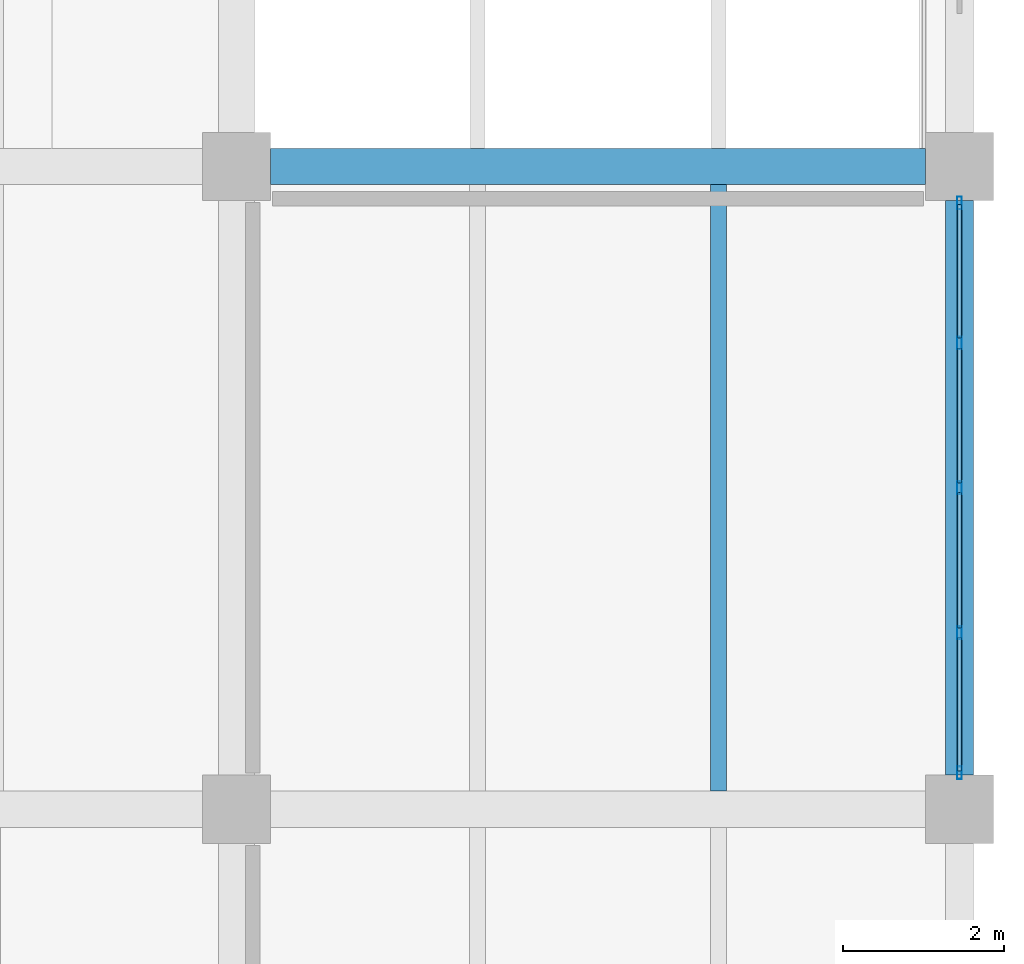
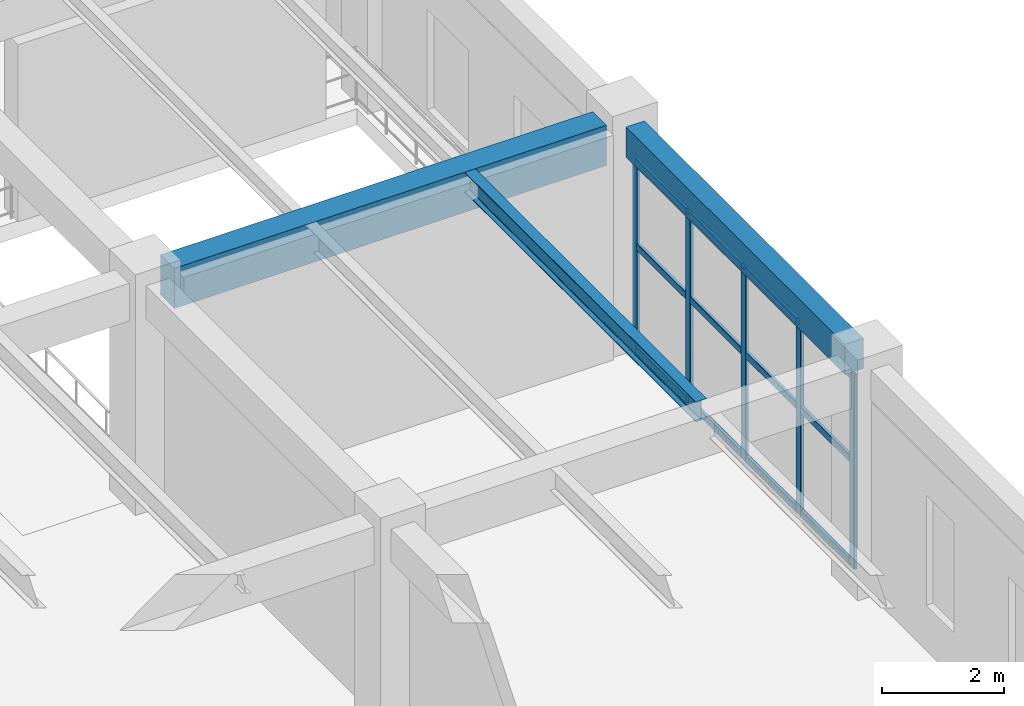
# One storey, part 124 of 178: 17 members, 3 beams, 1 element without a shape of its own.
"""IFC4 building model written with IfcOpenShell, lengths in metres."""

import ifcopenshell
import ifcopenshell.guid

model = None  # the IFC model being written
_history = None  # IfcOwnerHistory: only IFC2X3 demands one
_inside = {}  # id of a spatial element -> (the spatial element, [elements in it])
_under = {}  # id of a project, library or spatial element -> (it, [spatial elements below it])
_declared = {}  # id of a project -> (the project, [libraries it declares])
_typed = {}  # id of a type object -> (the type object, [elements of that type])
_made_of = {}  # id of a material, layer set ... -> (it, [elements and type objects made of it])


def new_model(schema):
    """Start an empty IFC model of exactly this schema.

    Asked for "IFC4X3", IfcOpenShell would pick the latest addendum, in which some entities
    have other attributes; the version numbers below select the first issue.
    IFC2X3 requires an IfcOwnerHistory on every rooted entity: one is made here for all.
    """
    global model, _history
    if schema == "IFC4X3":
        model = ifcopenshell.file(schema_version=(4, 3, 0, 0))
    else:
        model = ifcopenshell.file(schema=schema)
    _inside.clear()
    _under.clear()
    _declared.clear()
    _typed.clear()
    _made_of.clear()
    _history = None
    if model.schema == "IFC2X3":
        org = make("IfcOrganization", Name="unknown")
        user = make(
            "IfcPersonAndOrganization",
            ThePerson=make("IfcPerson", FamilyName="unknown"),
            TheOrganization=org,
        )
        app = make(
            "IfcApplication",
            ApplicationDeveloper=org,
            Version="unknown",
            ApplicationFullName="unknown",
            ApplicationIdentifier="unknown",
        )
        _history = make(
            "IfcOwnerHistory",
            OwningUser=user,
            OwningApplication=app,
            ChangeAction="ADDED",
            CreationDate=0,
        )
    return model


def make(cls, **values):
    """One entity of the class cls with the attributes given. An attribute that is None is left unset."""
    return model.create_entity(
        cls, **{name: value for name, value in values.items() if value is not None}
    )


def rooted(cls, **values):
    """An entity with a GlobalId (a new one), such as an element, a storey or a relation."""
    return make(cls, GlobalId=ifcopenshell.guid.new(), OwnerHistory=_history, **values)


def si_unit(unit_type, name, prefix=None):
    """IfcSIUnit, for example si_unit("LENGTHUNIT", "METRE", prefix="MILLI")."""
    return make("IfcSIUnit", UnitType=unit_type, Prefix=prefix, Name=name)


def derived_unit(unit_type, elements):
    """IfcDerivedUnit: a product of units, each with its exponent."""
    return make(
        "IfcDerivedUnit",
        Elements=[
            make("IfcDerivedUnitElement", Unit=unit, Exponent=power)
            for unit, power in elements
        ],
        UnitType=unit_type,
    )


def assignment(units):
    """IfcUnitAssignment: the units of a project."""
    return None if units is None else make("IfcUnitAssignment", Units=units)


def point(xyz):
    """IfcCartesianPoint."""
    return None if xyz is None else make("IfcCartesianPoint", Coordinates=xyz)


def direction(xyz):
    """IfcDirection."""
    return None if xyz is None else make("IfcDirection", DirectionRatios=xyz)


def frame(location, z_axis=None, x_axis=None):
    """IfcAxis2Placement3D, a coordinate frame: its origin and axes. An axis left out is left unset."""
    return make(
        "IfcAxis2Placement3D",
        Location=point(location),
        Axis=direction(z_axis),
        RefDirection=direction(x_axis),
    )


def frame_2d(location, x_axis=None):
    """IfcAxis2Placement2D, a coordinate frame in the plane: its origin and x axis."""
    return make(
        "IfcAxis2Placement2D", Location=point(location), RefDirection=direction(x_axis)
    )


def origin():
    """The frame at (0, 0, 0) with its axes left unset."""
    return frame((0.0, 0.0, 0.0))


def origin_2d():
    """The frame at (0, 0) in the plane with its x axis left unset."""
    return frame_2d((0.0, 0.0))


def place(relative_to, where):
    """IfcLocalPlacement: puts the frame where relative to a parent placement (None: the world)."""
    return make(
        "IfcLocalPlacement", PlacementRelTo=relative_to, RelativePlacement=where
    )


def context(
    kind, dimensions, precision=None, world=None, true_north=None, identifier=None
):
    """IfcGeometricRepresentationContext, for example the 3D "Model" context."""
    return make(
        "IfcGeometricRepresentationContext",
        ContextIdentifier=identifier,
        ContextType=kind,
        CoordinateSpaceDimension=dimensions,
        Precision=precision,
        WorldCoordinateSystem=world,
        TrueNorth=true_north,
    )


def subcontext(parent, identifier, kind, view, scale=None):
    """IfcGeometricRepresentationSubContext, for example "Body" below "Model"."""
    return make(
        "IfcGeometricRepresentationSubContext",
        ContextIdentifier=identifier,
        ContextType=kind,
        ParentContext=parent,
        TargetScale=scale,
        TargetView=view,
    )


def project(units=None, contexts=None):
    """IfcProject with its units and contexts."""
    return rooted(
        "IfcProject",
        Name="project",
        RepresentationContexts=contexts,
        UnitsInContext=assignment(units),
    )


def spatial(cls, under=None, at=None, **own):
    """A site, building, storey or space (cls), placed at a placement, below another one or the project."""
    s = rooted(cls, ObjectPlacement=at, **own)
    if under is not None:
        _under.setdefault(under.id(), (under, []))[1].append(s)
    return s


def profile(cls, at=None, kind="AREA", **sizes):
    """A parametric profile (cls). Its sizes go by their IFC names, for example OverallWidth=200.0."""
    return make(cls, ProfileType=kind, Position=at, **sizes)


def rectangle(**sizes):
    """IfcRectangleProfileDef."""
    return profile("IfcRectangleProfileDef", **sizes)


def hollow_rectangle(**sizes):
    """IfcRectangleHollowProfileDef."""
    return profile("IfcRectangleHollowProfileDef", **sizes)


def i_section(**sizes):
    """IfcIShapeProfileDef."""
    return profile("IfcIShapeProfileDef", **sizes)


def extrude(swept, where, along, depth):
    """IfcExtrudedAreaSolid: the profile swept, set in the frame where, extruded along a direction by depth."""
    return make(
        "IfcExtrudedAreaSolid",
        SweptArea=swept,
        Position=where,
        ExtrudedDirection=direction(along),
        Depth=depth,
    )


def shape(context_of_items, identifier, shape_type, items):
    """IfcShapeRepresentation: the items that make up one representation, for example the "Body"."""
    return make(
        "IfcShapeRepresentation",
        ContextOfItems=context_of_items,
        RepresentationIdentifier=identifier,
        RepresentationType=shape_type,
        Items=items,
    )


def material(Name=None, Category=None):
    """IfcMaterial."""
    return make("IfcMaterial", Name=Name, Category=Category)


def material_profile(
    of_material, cross_section, Name=None, Category=None, Priority=None
):
    """IfcMaterialProfile: a cross section and its material."""
    return make(
        "IfcMaterialProfile",
        Name=Name,
        Material=of_material,
        Profile=cross_section,
        Priority=Priority,
        Category=Category,
    )


def profile_set(profiles, Name=None, composite=None):
    """IfcMaterialProfileSet."""
    return make(
        "IfcMaterialProfileSet",
        Name=Name,
        MaterialProfiles=profiles,
        CompositeProfile=composite,
    )


def made_of(thing, what):
    """Note that an element or type object is made of a material, layer set ...; save() writes the relation."""
    if what is not None:
        _made_of.setdefault(what.id(), (what, []))[1].append(thing)
    return thing


def type_object(cls, material=None, **own):
    """A type object (cls), such as IfcWallType, which elements share."""
    return made_of(rooted(cls, **own), material)


def element(
    cls,
    number,
    at=None,
    inside=None,
    cuts=None,
    type_object=None,
    material=None,
    context=None,
    identifier="Body",
    shape_type=None,
    held_by="IfcProductDefinitionShape",
    body=None,
    shapes=None,
    **own,
):
    """One element of the class cls, such as IfcWall. Its Tag is "e" and its number.

    at: its placement. inside: the storey or other place that contains it. cuts: it is an
    opening in that element (IfcRelVoidsElement). A single representation is given by context,
    identifier, shape_type and body (its items); several are given by shapes. held_by: the class
    of the entity that holds the representations. save() writes the other relations.
    """
    e = rooted(cls, Tag="e%d" % number, ObjectPlacement=at, **own)
    if body is not None:
        shapes = [shape(context, identifier, shape_type, body)]
    if shapes is not None:
        e.Representation = make(held_by, Representations=shapes)
    if inside is not None:
        _inside.setdefault(inside.id(), (inside, []))[1].append(e)
    if cuts is not None:
        rooted(
            "IfcRelVoidsElement", RelatingBuildingElement=cuts, RelatedOpeningElement=e
        )
    if type_object is not None:
        _typed.setdefault(type_object.id(), (type_object, []))[1].append(e)
    return made_of(e, material)


def aggregate(whole, parts):
    """IfcRelAggregates: a whole, such as a stair, and the parts it consists of."""
    return rooted("IfcRelAggregates", RelatingObject=whole, RelatedObjects=parts)


def save(model, path):
    """Write the relations noted so far, then the file.

    IfcRelAggregates (storeys below a building ...), IfcRelContainedInSpatialStructure (elements
    in a storey), IfcRelDefinesByType, IfcRelAssociatesMaterial and IfcRelDeclares: one each for
    every whole, place, type object, material and project.
    """
    for whole, parts in _under.values():
        aggregate(whole, parts)
    for where, things in _inside.values():
        rooted(
            "IfcRelContainedInSpatialStructure",
            RelatedElements=things,
            RelatingStructure=where,
        )
    for kind, things in _typed.values():
        rooted("IfcRelDefinesByType", RelatedObjects=things, RelatingType=kind)
    for what, things in _made_of.values():
        rooted("IfcRelAssociatesMaterial", RelatedObjects=things, RelatingMaterial=what)
    for by, libraries in _declared.values():
        rooted("IfcRelDeclares", RelatingContext=by, RelatedDefinitions=libraries)
    model.write(path)


model = new_model("IFC4")

# Units and contexts
model_context = context("Model", 3, precision=1e-05, world=origin(), true_north=direction((0.0, 1.0)))
body_context = subcontext(model_context, "Body", "Model", "MODEL_VIEW")
ifc_project = project(units=[si_unit("LENGTHUNIT", "METRE"), si_unit("AREAUNIT", "SQUARE_METRE"), si_unit("VOLUMEUNIT", "CUBIC_METRE"), si_unit("PLANEANGLEUNIT", "RADIAN"), si_unit("MASSUNIT", "GRAM", prefix="KILO"), derived_unit("THERMALTRANSMITTANCEUNIT", [(si_unit("MASSUNIT", "GRAM", prefix="KILO"), 1), (si_unit("TIMEUNIT", "SECOND"), -3), (si_unit("THERMODYNAMICTEMPERATUREUNIT", "KELVIN"), -1)])], contexts=[model_context])

# Site, building, storey
site_placement = place(None, origin())
site = spatial("IfcSite", under=ifc_project, at=site_placement, CompositionType="ELEMENT")
building_placement = place(site_placement, origin())
building = spatial("IfcBuilding", under=site, at=building_placement, Name="Zhenchuan Archway Interchange", CompositionType="ELEMENT")
storey_placement = place(building_placement, frame((0.0, 0.0, 5.39990234375)))
storey = spatial("IfcBuildingStorey", under=building, at=storey_placement, Name="L01", CompositionType="ELEMENT", Elevation=5.39990234375)

# Beam
ifc_material_1 = material(Name="Concrete C40", Category="concrete")
ifc_material_profile_1 = material_profile(ifc_material_1, rectangle(XDim=0.449951171875, YDim=0.800048828125, at=origin_2d()), Name="RC 450x800")
ifc_profile_set_1 = profile_set([ifc_material_profile_1], Name="Concrete C40")
beam_type_1 = type_object("IfcBeamType", Name="BM_RC_450x800", PredefinedType="BEAM", material=ifc_profile_set_1)
beam_1_placement = place(storey_placement, frame((162.425048828125, 40.0, 4.110107421875), z_axis=(1.0, 0.0, 0.0), x_axis=(0.0, 1.0, 0.0)))
element("IfcBeam", 1, at=beam_1_placement, inside=storey, type_object=beam_type_1, Name="Beam F:19-20 (L01)", PredefinedType="BEAM", context=body_context, shape_type="SweptSolid", body=[
    extrude(rectangle(XDim=0.449951171875, YDim=0.800048828125, at=origin_2d()), origin(), (0.0, 0.0, 1.0), 8.14990234375),
])

# Curtain wall, members
ifc_material_2 = material(Name="Anodised Aluminium", Category="aluminium")
curtain_wall_type = type_object("IfcCurtainWallType", Name="CW_UNIT_4", PredefinedType="NOTDEFINED", material=ifc_material_2)
curtain_wall_placement = place(storey_placement, origin())
curtain_wall = element("IfcCurtainWall", 2, at=curtain_wall_placement, inside=storey, type_object=curtain_wall_type, Name="Unitised curtain wall CW:L01:067", PredefinedType="NOTDEFINED")
ifc_material_profile_2 = material_profile(ifc_material_2, hollow_rectangle(XDim=0.06005859375, YDim=0.159912109375, WallThickness=0.00390625, InnerFilletRadius=0.00390625, OuterFilletRadius=0.008056640625, at=origin_2d()), Name="ALU 160x60x4")
ifc_profile_set_2 = profile_set([ifc_material_profile_2], Name="Anodised Aluminium")
member_type_1 = type_object("IfcMemberType", Name="CW_MUL_150", PredefinedType="MULLION", material=ifc_profile_set_2)
member_1_placement = place(storey_placement, frame((171.0, 39.547119140625, 0.0), z_axis=(0.0, 0.0, 1.0), x_axis=(1.0, 0.0, 0.0)))
member_1 = element("IfcMember", 3, at=member_1_placement, type_object=member_type_1, Name="CW:L01:067 mullion 0", PredefinedType="MULLION", context=body_context, shape_type="SweptSolid", body=[
    extrude(hollow_rectangle(XDim=0.06005859375, YDim=0.159912109375, WallThickness=0.00390625, InnerFilletRadius=0.00390625, OuterFilletRadius=0.008056640625, at=origin_2d()), origin(), (0.0, 0.0, 1.0), 3.880126953125),
])
member_2_placement = place(storey_placement, frame((171.0, 37.803466796875, 0.0), z_axis=(0.0, 0.0, 1.0), x_axis=(1.0, 0.0, 0.0)))
member_2 = element("IfcMember", 4, at=member_2_placement, type_object=member_type_1, Name="CW:L01:067 mullion 1", PredefinedType="MULLION", context=body_context, shape_type="SweptSolid", body=[
    extrude(hollow_rectangle(XDim=0.06005859375, YDim=0.159912109375, WallThickness=0.00390625, InnerFilletRadius=0.00390625, OuterFilletRadius=0.008056640625, at=origin_2d()), origin(), (0.0, 0.0, 1.0), 3.880126953125),
])
member_3_placement = place(storey_placement, frame((171.0, 36.0, 0.0), z_axis=(0.0, 0.0, 1.0), x_axis=(1.0, 0.0, 0.0)))
member_3 = element("IfcMember", 5, at=member_3_placement, type_object=member_type_1, Name="CW:L01:067 mullion 2", PredefinedType="MULLION", context=body_context, shape_type="SweptSolid", body=[
    extrude(hollow_rectangle(XDim=0.06005859375, YDim=0.159912109375, WallThickness=0.00390625, InnerFilletRadius=0.00390625, OuterFilletRadius=0.008056640625, at=origin_2d()), origin(), (0.0, 0.0, 1.0), 3.880126953125),
])
member_4_placement = place(storey_placement, frame((171.0, 34.196533203125, 0.0), z_axis=(0.0, 0.0, 1.0), x_axis=(1.0, 0.0, 0.0)))
member_4 = element("IfcMember", 6, at=member_4_placement, type_object=member_type_1, Name="CW:L01:067 mullion 3", PredefinedType="MULLION", context=body_context, shape_type="SweptSolid", body=[
    extrude(hollow_rectangle(XDim=0.06005859375, YDim=0.159912109375, WallThickness=0.00390625, InnerFilletRadius=0.00390625, OuterFilletRadius=0.008056640625, at=origin_2d()), origin(), (0.0, 0.0, 1.0), 3.880126953125),
])
member_5_placement = place(storey_placement, frame((171.0, 32.452880859375, 0.0), z_axis=(0.0, 0.0, 1.0), x_axis=(1.0, 0.0, 0.0)))
member_5 = element("IfcMember", 7, at=member_5_placement, type_object=member_type_1, Name="CW:L01:067 mullion 4", PredefinedType="MULLION", context=body_context, shape_type="SweptSolid", body=[
    extrude(hollow_rectangle(XDim=0.06005859375, YDim=0.159912109375, WallThickness=0.00390625, InnerFilletRadius=0.00390625, OuterFilletRadius=0.008056640625, at=origin_2d()), origin(), (0.0, 0.0, 1.0), 3.880126953125),
])
ifc_material_profile_3 = material_profile(ifc_material_2, hollow_rectangle(XDim=0.06005859375, YDim=0.139892578125, WallThickness=0.00341796875, InnerFilletRadius=0.00341796875, OuterFilletRadius=0.007080078125, at=origin_2d()), Name="ALU 140x60x3.5")
ifc_profile_set_3 = profile_set([ifc_material_profile_3], Name="Anodised Aluminium")
member_type_2 = type_object("IfcMemberType", Name="CW_TRN_140", PredefinedType="USERDEFINED", material=ifc_profile_set_3)
member_6_placement = place(storey_placement, frame((171.0, 39.527099609375, 0.06005859375), z_axis=(0.0, -1.0, 0.0), x_axis=(1.0, 0.0, 0.0)))
member_6 = element("IfcMember", 8, at=member_6_placement, type_object=member_type_2, Name="CW:L01:067 transom 0-1", ObjectType="TRANSOM", PredefinedType="USERDEFINED", context=body_context, shape_type="SweptSolid", body=[
    extrude(hollow_rectangle(XDim=0.06005859375, YDim=0.139892578125, WallThickness=0.00341796875, InnerFilletRadius=0.00341796875, OuterFilletRadius=0.007080078125, at=origin_2d()), origin(), (0.0, 0.0, 1.0), 1.66357421875),
])
member_7_placement = place(storey_placement, frame((171.0, 39.527099609375, 2.123046875), z_axis=(0.0, -1.0, 0.0), x_axis=(1.0, 0.0, 0.0)))
member_7 = element("IfcMember", 9, at=member_7_placement, type_object=member_type_2, Name="CW:L01:067 transom 0-2", ObjectType="TRANSOM", PredefinedType="USERDEFINED", context=body_context, shape_type="SweptSolid", body=[
    extrude(hollow_rectangle(XDim=0.06005859375, YDim=0.139892578125, WallThickness=0.00341796875, InnerFilletRadius=0.00341796875, OuterFilletRadius=0.007080078125, at=origin_2d()), origin(), (0.0, 0.0, 1.0), 1.66357421875),
])
member_8_placement = place(storey_placement, frame((171.0, 39.527099609375, 3.800048828125), z_axis=(0.0, -1.0, 0.0), x_axis=(1.0, 0.0, 0.0)))
member_8 = element("IfcMember", 10, at=member_8_placement, type_object=member_type_2, Name="CW:L01:067 transom 0-3", ObjectType="TRANSOM", PredefinedType="USERDEFINED", context=body_context, shape_type="SweptSolid", body=[
    extrude(hollow_rectangle(XDim=0.06005859375, YDim=0.139892578125, WallThickness=0.00341796875, InnerFilletRadius=0.00341796875, OuterFilletRadius=0.007080078125, at=origin_2d()), origin(), (0.0, 0.0, 1.0), 1.66357421875),
])
member_9_placement = place(storey_placement, frame((171.0, 37.743408203125, 0.06005859375), z_axis=(0.0, -1.0, 0.0), x_axis=(1.0, 0.0, 0.0)))
member_9 = element("IfcMember", 11, at=member_9_placement, type_object=member_type_2, Name="CW:L01:067 transom 1-1", ObjectType="TRANSOM", PredefinedType="USERDEFINED", context=body_context, shape_type="SweptSolid", body=[
    extrude(hollow_rectangle(XDim=0.06005859375, YDim=0.139892578125, WallThickness=0.00341796875, InnerFilletRadius=0.00341796875, OuterFilletRadius=0.007080078125, at=origin_2d()), origin(), (0.0, 0.0, 1.0), 1.683349609375),
])
member_10_placement = place(storey_placement, frame((171.0, 37.743408203125, 2.123046875), z_axis=(0.0, -1.0, 0.0), x_axis=(1.0, 0.0, 0.0)))
member_10 = element("IfcMember", 12, at=member_10_placement, type_object=member_type_2, Name="CW:L01:067 transom 1-2", ObjectType="TRANSOM", PredefinedType="USERDEFINED", context=body_context, shape_type="SweptSolid", body=[
    extrude(hollow_rectangle(XDim=0.06005859375, YDim=0.139892578125, WallThickness=0.00341796875, InnerFilletRadius=0.00341796875, OuterFilletRadius=0.007080078125, at=origin_2d()), origin(), (0.0, 0.0, 1.0), 1.683349609375),
])
member_11_placement = place(storey_placement, frame((171.0, 37.743408203125, 3.800048828125), z_axis=(0.0, -1.0, 0.0), x_axis=(1.0, 0.0, 0.0)))
member_11 = element("IfcMember", 13, at=member_11_placement, type_object=member_type_2, Name="CW:L01:067 transom 1-3", ObjectType="TRANSOM", PredefinedType="USERDEFINED", context=body_context, shape_type="SweptSolid", body=[
    extrude(hollow_rectangle(XDim=0.06005859375, YDim=0.139892578125, WallThickness=0.00341796875, InnerFilletRadius=0.00341796875, OuterFilletRadius=0.007080078125, at=origin_2d()), origin(), (0.0, 0.0, 1.0), 1.683349609375),
])
member_12_placement = place(storey_placement, frame((171.0, 35.93994140625, 0.06005859375), z_axis=(0.0, -1.0, 0.0), x_axis=(1.0, 0.0, 0.0)))
member_12 = element("IfcMember", 14, at=member_12_placement, type_object=member_type_2, Name="CW:L01:067 transom 2-1", ObjectType="TRANSOM", PredefinedType="USERDEFINED", context=body_context, shape_type="SweptSolid", body=[
    extrude(hollow_rectangle(XDim=0.06005859375, YDim=0.139892578125, WallThickness=0.00341796875, InnerFilletRadius=0.00341796875, OuterFilletRadius=0.007080078125, at=origin_2d()), origin(), (0.0, 0.0, 1.0), 1.683349609375),
])
member_13_placement = place(storey_placement, frame((171.0, 35.93994140625, 2.123046875), z_axis=(0.0, -1.0, 0.0), x_axis=(1.0, 0.0, 0.0)))
member_13 = element("IfcMember", 15, at=member_13_placement, type_object=member_type_2, Name="CW:L01:067 transom 2-2", ObjectType="TRANSOM", PredefinedType="USERDEFINED", context=body_context, shape_type="SweptSolid", body=[
    extrude(hollow_rectangle(XDim=0.06005859375, YDim=0.139892578125, WallThickness=0.00341796875, InnerFilletRadius=0.00341796875, OuterFilletRadius=0.007080078125, at=origin_2d()), origin(), (0.0, 0.0, 1.0), 1.683349609375),
])
member_14_placement = place(storey_placement, frame((171.0, 35.93994140625, 3.800048828125), z_axis=(0.0, -1.0, 0.0), x_axis=(1.0, 0.0, 0.0)))
member_14 = element("IfcMember", 16, at=member_14_placement, type_object=member_type_2, Name="CW:L01:067 transom 2-3", ObjectType="TRANSOM", PredefinedType="USERDEFINED", context=body_context, shape_type="SweptSolid", body=[
    extrude(hollow_rectangle(XDim=0.06005859375, YDim=0.139892578125, WallThickness=0.00341796875, InnerFilletRadius=0.00341796875, OuterFilletRadius=0.007080078125, at=origin_2d()), origin(), (0.0, 0.0, 1.0), 1.683349609375),
])
member_15_placement = place(storey_placement, frame((171.0, 34.136474609375, 0.06005859375), z_axis=(0.0, -1.0, 0.0), x_axis=(1.0, 0.0, 0.0)))
member_15 = element("IfcMember", 17, at=member_15_placement, type_object=member_type_2, Name="CW:L01:067 transom 3-1", ObjectType="TRANSOM", PredefinedType="USERDEFINED", context=body_context, shape_type="SweptSolid", body=[
    extrude(hollow_rectangle(XDim=0.06005859375, YDim=0.139892578125, WallThickness=0.00341796875, InnerFilletRadius=0.00341796875, OuterFilletRadius=0.007080078125, at=origin_2d()), origin(), (0.0, 0.0, 1.0), 1.66357421875),
])
member_16_placement = place(storey_placement, frame((171.0, 34.136474609375, 2.123046875), z_axis=(0.0, -1.0, 0.0), x_axis=(1.0, 0.0, 0.0)))
member_16 = element("IfcMember", 18, at=member_16_placement, type_object=member_type_2, Name="CW:L01:067 transom 3-2", ObjectType="TRANSOM", PredefinedType="USERDEFINED", context=body_context, shape_type="SweptSolid", body=[
    extrude(hollow_rectangle(XDim=0.06005859375, YDim=0.139892578125, WallThickness=0.00341796875, InnerFilletRadius=0.00341796875, OuterFilletRadius=0.007080078125, at=origin_2d()), origin(), (0.0, 0.0, 1.0), 1.66357421875),
])
member_17_placement = place(storey_placement, frame((171.0, 34.136474609375, 3.800048828125), z_axis=(0.0, -1.0, 0.0), x_axis=(1.0, 0.0, 0.0)))
member_17 = element("IfcMember", 19, at=member_17_placement, type_object=member_type_2, Name="CW:L01:067 transom 3-3", ObjectType="TRANSOM", PredefinedType="USERDEFINED", context=body_context, shape_type="SweptSolid", body=[
    extrude(hollow_rectangle(XDim=0.06005859375, YDim=0.139892578125, WallThickness=0.00341796875, InnerFilletRadius=0.00341796875, OuterFilletRadius=0.007080078125, at=origin_2d()), origin(), (0.0, 0.0, 1.0), 1.66357421875),
])
aggregate(curtain_wall, [member_1, member_2, member_3, member_4, member_5, member_6, member_7, member_8, member_9, member_10, member_11, member_12, member_13, member_14, member_15, member_16, member_17])

# Beams
ifc_material_3 = material(Name="Steel Q355", Category="steel")
ifc_material_profile_4 = material_profile(ifc_material_3, i_section(OverallWidth=0.199951171875, OverallDepth=0.39990234375, WebThickness=0.008056640625, FlangeThickness=0.012939453125, FilletRadius=0.01611328125, at=origin_2d()), Name="HN 400x200")
ifc_profile_set_4 = profile_set([ifc_material_profile_4], Name="Steel Q355")
beam_type_2 = type_object("IfcBeamType", Name="JST_STL_HN400", PredefinedType="JOIST", material=ifc_profile_set_4)
beam_2_placement = place(storey_placement, frame((168.0, 32.22509765625, 4.31005859375), z_axis=(0.0, 1.0, 0.0), x_axis=(-1.0, 0.0, 0.0)))
element("IfcBeam", 20, at=beam_2_placement, inside=storey, type_object=beam_type_2, Name="Secondary joist 19-20/E-F #2 (L01)", PredefinedType="JOIST", context=body_context, shape_type="SweptSolid", body=[
    extrude(i_section(OverallWidth=0.199951171875, OverallDepth=0.39990234375, WebThickness=0.008056640625, FlangeThickness=0.012939453125, FilletRadius=0.01611328125, at=origin_2d()), origin(), (0.0, 0.0, 1.0), 7.5498046875),
])
ifc_material_profile_5 = material_profile(ifc_material_1, rectangle(XDim=0.35009765625, YDim=0.60009765625, at=origin_2d()), Name="RC 350x600")
ifc_profile_set_5 = profile_set([ifc_material_profile_5], Name="Concrete C40")
beam_type_3 = type_object("IfcBeamType", Name="SP_RC_350x600", PredefinedType="SPANDREL", material=ifc_profile_set_5)
beam_3_placement = place(storey_placement, frame((171.0, 32.425048828125, 4.210205078125), z_axis=(0.0, 1.0, 0.0), x_axis=(-1.0, 0.0, 0.0)))
element("IfcBeam", 21, at=beam_3_placement, inside=storey, type_object=beam_type_3, Name="Beam 20:E-F (L01)", PredefinedType="SPANDREL", context=body_context, shape_type="SweptSolid", body=[
    extrude(rectangle(XDim=0.35009765625, YDim=0.60009765625, at=origin_2d()), origin(), (0.0, 0.0, 1.0), 7.14990234375),
])

save(model, "model.ifc")
